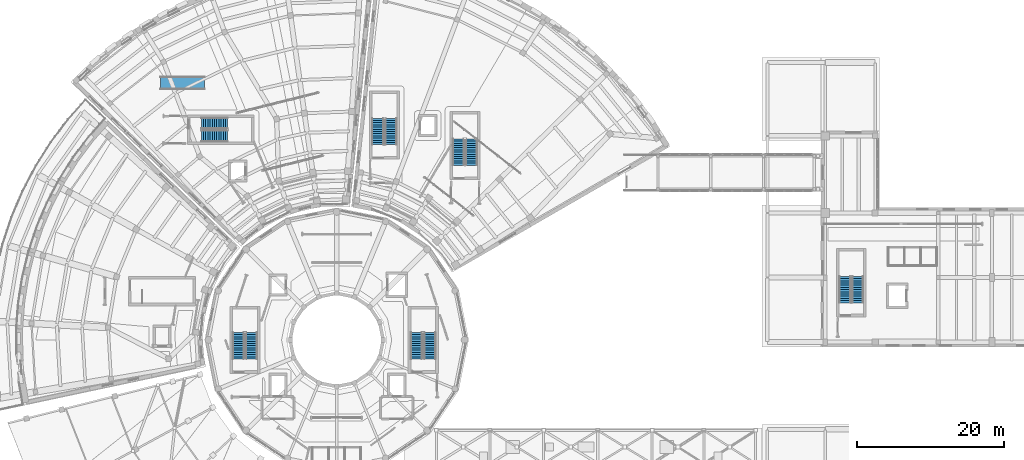
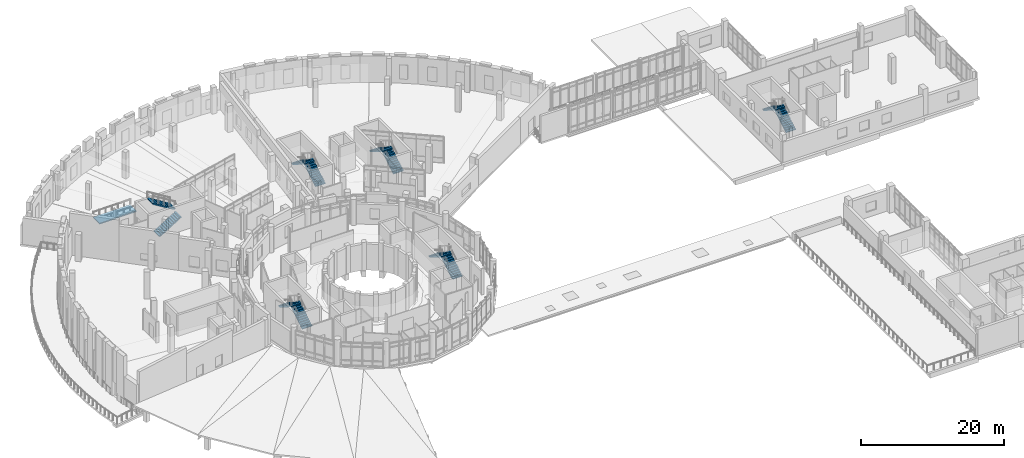
# One storey, part 61 of 75: 12 stair flights, 1 ramp flight, 7 elements without a shape of their own.
"""IFC4 building model written with IfcOpenShell, lengths in metres."""

from ifc_helpers import new_model, si_unit, direction, frame, origin, place, context, subcontext, project, spatial, polyline, outline, extrude, material, type_object, element, aggregate, save


model = new_model("IFC4")

# Units and contexts
model_context = context("Model", 3, precision=1e-05, world=origin(), true_north=direction((0.0, 1.0)))
body_context = subcontext(model_context, "Body", "Model", "MODEL_VIEW")
ifc_project = project(units=[si_unit("LENGTHUNIT", "METRE"), si_unit("AREAUNIT", "SQUARE_METRE"), si_unit("VOLUMEUNIT", "CUBIC_METRE"), si_unit("PLANEANGLEUNIT", "RADIAN"), si_unit("MASSUNIT", "GRAM", prefix="KILO")], contexts=[model_context])

# Site, building, storey
site_placement = place(None, origin())
site = spatial("IfcSite", under=ifc_project, at=site_placement, CompositionType="ELEMENT")
building_placement = place(site_placement, origin())
building = spatial("IfcBuilding", under=site, at=building_placement, Name="Soyqirgoq Riverine Aquarium", CompositionType="ELEMENT")
storey_placement = place(building_placement, frame((0.0, 0.0, 10.199951171875)))
storey = spatial("IfcBuildingStorey", under=building, at=storey_placement, Name="L03", CompositionType="ELEMENT", Elevation=10.199951171875)

# Stair, stair flights
ifc_material_1 = material(Name="Concrete C35/45", Category="concrete")
stair_type = type_object("IfcStairType", Name="CoreDoglegStair_RC", PredefinedType="HALF_TURN_STAIR", material=ifc_material_1)
stair_1_placement = place(storey_placement, origin())
stair_1 = element("IfcStair", 1, at=stair_1_placement, inside=storey, type_object=stair_type, Name="L03 Enclosed Exit Stair ST-1", PredefinedType="HALF_TURN_STAIR")
ifc_material_2 = material(Name="Concrete C35/45", Category="concrete")
stair_flight_type = type_object("IfcStairFlightType", Name="CoreStairFlight_RC", PredefinedType="STRAIGHT", material=ifc_material_2)
stair_flight_1_placement = place(storey_placement, frame((68.699951171875, 54.39990234375, 0.0), z_axis=(0.0, 0.0, 1.0), x_axis=(0.0, 1.0, 0.0)))
stair_flight_1 = element("IfcStairFlight", 2, at=stair_flight_1_placement, type_object=stair_flight_type, Name="ST-1 flight 1", NumberOfRisers=13, NumberOfTreads=12, PredefinedType="STRAIGHT", RiserHeight=0.184615385, TreadLength=0.3, context=body_context, shape_type="SweptSolid", body=[
    extrude(outline(polyline([(0.0, 0.0), (0.0, 0.1845703125), (0.300048828125, 0.1845703125), (0.300048828125, 0.369140625), (0.60009765625, 0.369140625), (0.60009765625, 0.553955078125), (0.89990234375, 0.553955078125), (0.89990234375, 0.738525390625), (1.199951171875, 0.738525390625), (1.199951171875, 0.923095703125), (1.5, 0.923095703125), (1.5, 1.107666015625), (1.800048828125, 1.107666015625), (1.800048828125, 1.292236328125), (2.10009765625, 1.292236328125), (2.10009765625, 1.476806640625), (2.39990234375, 1.476806640625), (2.39990234375, 1.66162109375), (2.699951171875, 1.66162109375), (2.699951171875, 1.84619140625), (3.0, 1.84619140625), (3.0, 2.03076171875), (3.300048828125, 2.03076171875), (3.300048828125, 2.21533203125), (3.60009765625, 2.21533203125), (3.60009765625, 2.39990234375), (3.60009765625, 2.039306640625), (0.2861328125, 0.0), (0.0, 0.0)])), frame((0.0, 0.800048828125, 0.0), z_axis=(0.0, -1.0, 0.0), x_axis=(1.0, 0.0, 0.0)), (0.0, 0.0, 1.0), 1.60009765625),
])
stair_flight_2_placement = place(storey_placement, frame((66.89990234375, 58.0, 2.400146484375), z_axis=(0.0, 0.0, 1.0), x_axis=(0.0, -1.0, 0.0)))
stair_flight_2 = element("IfcStairFlight", 3, at=stair_flight_2_placement, type_object=stair_flight_type, Name="ST-1 flight 2", NumberOfRisers=13, NumberOfTreads=12, PredefinedType="STRAIGHT", RiserHeight=0.184615385, TreadLength=0.3, context=body_context, shape_type="SweptSolid", body=[
    extrude(outline(polyline([(0.0, 0.0), (0.0, 0.1845703125), (0.300048828125, 0.1845703125), (0.300048828125, 0.369140625), (0.60009765625, 0.369140625), (0.60009765625, 0.553955078125), (0.89990234375, 0.553955078125), (0.89990234375, 0.738525390625), (1.199951171875, 0.738525390625), (1.199951171875, 0.923095703125), (1.5, 0.923095703125), (1.5, 1.107666015625), (1.800048828125, 1.107666015625), (1.800048828125, 1.292236328125), (2.10009765625, 1.292236328125), (2.10009765625, 1.476806640625), (2.39990234375, 1.476806640625), (2.39990234375, 1.66162109375), (2.699951171875, 1.66162109375), (2.699951171875, 1.84619140625), (3.0, 1.84619140625), (3.0, 2.03076171875), (3.300048828125, 2.03076171875), (3.300048828125, 2.21533203125), (3.60009765625, 2.21533203125), (3.60009765625, 2.39990234375), (3.60009765625, 2.039306640625), (0.2861328125, 0.0), (0.0, 0.0)])), frame((0.0, 0.800048828125, 0.0), z_axis=(0.0, -1.0, 0.0), x_axis=(1.0, 0.0, 0.0)), (0.0, 0.0, 1.0), 1.60009765625),
])
aggregate(stair_1, [stair_flight_1, stair_flight_2])

stair_2_placement = place(storey_placement, origin())
stair_2 = element("IfcStair", 4, at=stair_2_placement, inside=storey, type_object=stair_type, Name="L03 Enclosed Exit Stair ST-9", PredefinedType="HALF_TURN_STAIR")
stair_flight_3_placement = place(storey_placement, frame((44.39990234375, 54.39990234375, 0.0), z_axis=(0.0, 0.0, 1.0), x_axis=(0.0, 1.0, 0.0)))
stair_flight_3 = element("IfcStairFlight", 5, at=stair_flight_3_placement, type_object=stair_flight_type, Name="ST-9 flight 1", NumberOfRisers=13, NumberOfTreads=12, PredefinedType="STRAIGHT", RiserHeight=0.184615385, TreadLength=0.3, context=body_context, shape_type="SweptSolid", body=[
    extrude(outline(polyline([(0.0, 0.0), (0.0, 0.1845703125), (0.300048828125, 0.1845703125), (0.300048828125, 0.369140625), (0.60009765625, 0.369140625), (0.60009765625, 0.553955078125), (0.89990234375, 0.553955078125), (0.89990234375, 0.738525390625), (1.199951171875, 0.738525390625), (1.199951171875, 0.923095703125), (1.5, 0.923095703125), (1.5, 1.107666015625), (1.800048828125, 1.107666015625), (1.800048828125, 1.292236328125), (2.10009765625, 1.292236328125), (2.10009765625, 1.476806640625), (2.39990234375, 1.476806640625), (2.39990234375, 1.66162109375), (2.699951171875, 1.66162109375), (2.699951171875, 1.84619140625), (3.0, 1.84619140625), (3.0, 2.03076171875), (3.300048828125, 2.03076171875), (3.300048828125, 2.21533203125), (3.60009765625, 2.21533203125), (3.60009765625, 2.39990234375), (3.60009765625, 2.039306640625), (0.2861328125, 0.0), (0.0, 0.0)])), frame((0.0, 0.800048828125, 0.0), z_axis=(0.0, -1.0, 0.0), x_axis=(1.0, 0.0, 0.0)), (0.0, 0.0, 1.0), 1.60009765625),
])
stair_flight_4_placement = place(storey_placement, frame((42.60009765625, 58.0, 2.400146484375), z_axis=(0.0, 0.0, 1.0), x_axis=(0.0, -1.0, 0.0)))
stair_flight_4 = element("IfcStairFlight", 6, at=stair_flight_4_placement, type_object=stair_flight_type, Name="ST-9 flight 2", NumberOfRisers=13, NumberOfTreads=12, PredefinedType="STRAIGHT", RiserHeight=0.184615385, TreadLength=0.3, context=body_context, shape_type="SweptSolid", body=[
    extrude(outline(polyline([(0.0, 0.0), (0.0, 0.1845703125), (0.300048828125, 0.1845703125), (0.300048828125, 0.369140625), (0.60009765625, 0.369140625), (0.60009765625, 0.553955078125), (0.89990234375, 0.553955078125), (0.89990234375, 0.738525390625), (1.199951171875, 0.738525390625), (1.199951171875, 0.923095703125), (1.5, 0.923095703125), (1.5, 1.107666015625), (1.800048828125, 1.107666015625), (1.800048828125, 1.292236328125), (2.10009765625, 1.292236328125), (2.10009765625, 1.476806640625), (2.39990234375, 1.476806640625), (2.39990234375, 1.66162109375), (2.699951171875, 1.66162109375), (2.699951171875, 1.84619140625), (3.0, 1.84619140625), (3.0, 2.03076171875), (3.300048828125, 2.03076171875), (3.300048828125, 2.21533203125), (3.60009765625, 2.21533203125), (3.60009765625, 2.39990234375), (3.60009765625, 2.039306640625), (0.2861328125, 0.0), (0.0, 0.0)])), frame((0.0, 0.800048828125, 0.0), z_axis=(0.0, -1.0, 0.0), x_axis=(1.0, 0.0, 0.0)), (0.0, 0.0, 1.0), 1.60009765625),
])
aggregate(stair_2, [stair_flight_3, stair_flight_4])

stair_3_placement = place(storey_placement, origin())
stair_3 = element("IfcStair", 7, at=stair_3_placement, inside=storey, type_object=stair_type, Name="L03 Enclosed Exit Stair ST-4", PredefinedType="HALF_TURN_STAIR")
stair_flight_5_placement = place(storey_placement, frame((37.550048828125, 84.77490234375, 0.0), z_axis=(0.0, 0.0, 1.0), x_axis=(1.0, 0.0, 0.0)))
stair_flight_5 = element("IfcStairFlight", 8, at=stair_flight_5_placement, type_object=stair_flight_type, Name="ST-4 flight 1", NumberOfRisers=13, NumberOfTreads=12, PredefinedType="STRAIGHT", RiserHeight=0.184615385, TreadLength=0.3, context=body_context, shape_type="SweptSolid", body=[
    extrude(outline(polyline([(0.0, 0.0), (0.0, 0.1845703125), (0.300048828125, 0.1845703125), (0.300048828125, 0.369140625), (0.60009765625, 0.369140625), (0.60009765625, 0.553955078125), (0.89990234375, 0.553955078125), (0.89990234375, 0.738525390625), (1.199951171875, 0.738525390625), (1.199951171875, 0.923095703125), (1.5, 0.923095703125), (1.5, 1.107666015625), (1.800048828125, 1.107666015625), (1.800048828125, 1.292236328125), (2.10009765625, 1.292236328125), (2.10009765625, 1.476806640625), (2.39990234375, 1.476806640625), (2.39990234375, 1.66162109375), (2.699951171875, 1.66162109375), (2.699951171875, 1.84619140625), (3.0, 1.84619140625), (3.0, 2.03076171875), (3.300048828125, 2.03076171875), (3.300048828125, 2.21533203125), (3.60009765625, 2.21533203125), (3.60009765625, 2.39990234375), (3.60009765625, 2.039306640625), (0.2861328125, 0.0), (0.0, 0.0)])), frame((0.0, 0.77490234375, 0.0), z_axis=(0.0, -1.0, 0.0), x_axis=(1.0, 0.0, 0.0)), (0.0, 0.0, 1.0), 1.550048828125),
])
stair_flight_6_placement = place(storey_placement, frame((41.14990234375, 86.52490234375, 2.400146484375), z_axis=(0.0, 0.0, 1.0), x_axis=(-1.0, 0.0, 0.0)))
stair_flight_6 = element("IfcStairFlight", 9, at=stair_flight_6_placement, type_object=stair_flight_type, Name="ST-4 flight 2", NumberOfRisers=13, NumberOfTreads=12, PredefinedType="STRAIGHT", RiserHeight=0.184615385, TreadLength=0.3, context=body_context, shape_type="SweptSolid", body=[
    extrude(outline(polyline([(0.0, 0.0), (0.0, 0.1845703125), (0.300048828125, 0.1845703125), (0.300048828125, 0.369140625), (0.60009765625, 0.369140625), (0.60009765625, 0.553955078125), (0.89990234375, 0.553955078125), (0.89990234375, 0.738525390625), (1.199951171875, 0.738525390625), (1.199951171875, 0.923095703125), (1.5, 0.923095703125), (1.5, 1.107666015625), (1.800048828125, 1.107666015625), (1.800048828125, 1.292236328125), (2.10009765625, 1.292236328125), (2.10009765625, 1.476806640625), (2.39990234375, 1.476806640625), (2.39990234375, 1.66162109375), (2.699951171875, 1.66162109375), (2.699951171875, 1.84619140625), (3.0, 1.84619140625), (3.0, 2.03076171875), (3.300048828125, 2.03076171875), (3.300048828125, 2.21533203125), (3.60009765625, 2.21533203125), (3.60009765625, 2.39990234375), (3.60009765625, 2.039306640625), (0.2861328125, 0.0), (0.0, 0.0)])), frame((0.0, 0.77490234375, 0.0), z_axis=(0.0, -1.0, 0.0), x_axis=(1.0, 0.0, 0.0)), (0.0, 0.0, 1.0), 1.550048828125),
])
aggregate(stair_3, [stair_flight_5, stair_flight_6])

stair_4_placement = place(storey_placement, origin())
stair_4 = element("IfcStair", 10, at=stair_4_placement, inside=storey, type_object=stair_type, Name="L03 Enclosed Exit Stair ST-5", PredefinedType="HALF_TURN_STAIR")
stair_flight_7_placement = place(storey_placement, frame((63.39990234375, 83.60009765625, 0.0), z_axis=(0.0, 0.0, 1.0), x_axis=(0.0, 1.0, 0.0)))
stair_flight_7 = element("IfcStairFlight", 11, at=stair_flight_7_placement, type_object=stair_flight_type, Name="ST-5 flight 1", NumberOfRisers=13, NumberOfTreads=12, PredefinedType="STRAIGHT", RiserHeight=0.184615385, TreadLength=0.3, context=body_context, shape_type="SweptSolid", body=[
    extrude(outline(polyline([(0.0, 0.0), (0.0, 0.1845703125), (0.300048828125, 0.1845703125), (0.300048828125, 0.369140625), (0.60009765625, 0.369140625), (0.60009765625, 0.553955078125), (0.89990234375, 0.553955078125), (0.89990234375, 0.738525390625), (1.199951171875, 0.738525390625), (1.199951171875, 0.923095703125), (1.5, 0.923095703125), (1.5, 1.107666015625), (1.800048828125, 1.107666015625), (1.800048828125, 1.292236328125), (2.10009765625, 1.292236328125), (2.10009765625, 1.476806640625), (2.39990234375, 1.476806640625), (2.39990234375, 1.66162109375), (2.699951171875, 1.66162109375), (2.699951171875, 1.84619140625), (3.0, 1.84619140625), (3.0, 2.03076171875), (3.300048828125, 2.03076171875), (3.300048828125, 2.21533203125), (3.60009765625, 2.21533203125), (3.60009765625, 2.39990234375), (3.60009765625, 2.039306640625), (0.2861328125, 0.0), (0.0, 0.0)])), frame((0.0, 0.800048828125, 0.0), z_axis=(0.0, -1.0, 0.0), x_axis=(1.0, 0.0, 0.0)), (0.0, 0.0, 1.0), 1.60009765625),
])
stair_flight_8_placement = place(storey_placement, frame((61.60009765625, 87.199951171875, 2.400146484375), z_axis=(0.0, 0.0, 1.0), x_axis=(0.0, -1.0, 0.0)))
stair_flight_8 = element("IfcStairFlight", 12, at=stair_flight_8_placement, type_object=stair_flight_type, Name="ST-5 flight 2", NumberOfRisers=13, NumberOfTreads=12, PredefinedType="STRAIGHT", RiserHeight=0.184615385, TreadLength=0.3, context=body_context, shape_type="SweptSolid", body=[
    extrude(outline(polyline([(0.0, 0.0), (0.0, 0.1845703125), (0.300048828125, 0.1845703125), (0.300048828125, 0.369140625), (0.60009765625, 0.369140625), (0.60009765625, 0.553955078125), (0.89990234375, 0.553955078125), (0.89990234375, 0.738525390625), (1.199951171875, 0.738525390625), (1.199951171875, 0.923095703125), (1.5, 0.923095703125), (1.5, 1.107666015625), (1.800048828125, 1.107666015625), (1.800048828125, 1.292236328125), (2.10009765625, 1.292236328125), (2.10009765625, 1.476806640625), (2.39990234375, 1.476806640625), (2.39990234375, 1.66162109375), (2.699951171875, 1.66162109375), (2.699951171875, 1.84619140625), (3.0, 1.84619140625), (3.0, 2.03076171875), (3.300048828125, 2.03076171875), (3.300048828125, 2.21533203125), (3.60009765625, 2.21533203125), (3.60009765625, 2.39990234375), (3.60009765625, 2.039306640625), (0.2861328125, 0.0), (0.0, 0.0)])), frame((0.0, 0.800048828125, 0.0), z_axis=(0.0, -1.0, 0.0), x_axis=(1.0, 0.0, 0.0)), (0.0, 0.0, 1.0), 1.60009765625),
])
aggregate(stair_4, [stair_flight_7, stair_flight_8])

stair_5_placement = place(storey_placement, origin())
stair_5 = element("IfcStair", 13, at=stair_5_placement, inside=storey, type_object=stair_type, Name="L03 Enclosed Exit Stair ST-6", PredefinedType="HALF_TURN_STAIR")
stair_flight_9_placement = place(storey_placement, frame((74.39990234375, 80.800048828125, 0.0), z_axis=(0.0, 0.0, 1.0), x_axis=(0.0, 1.0, 0.0)))
stair_flight_9 = element("IfcStairFlight", 14, at=stair_flight_9_placement, type_object=stair_flight_type, Name="ST-6 flight 1", NumberOfRisers=13, NumberOfTreads=12, PredefinedType="STRAIGHT", RiserHeight=0.184615385, TreadLength=0.3, context=body_context, shape_type="SweptSolid", body=[
    extrude(outline(polyline([(0.0, 0.0), (0.0, 0.1845703125), (0.300048828125, 0.1845703125), (0.300048828125, 0.369140625), (0.60009765625, 0.369140625), (0.60009765625, 0.553955078125), (0.89990234375, 0.553955078125), (0.89990234375, 0.738525390625), (1.199951171875, 0.738525390625), (1.199951171875, 0.923095703125), (1.5, 0.923095703125), (1.5, 1.107666015625), (1.800048828125, 1.107666015625), (1.800048828125, 1.292236328125), (2.10009765625, 1.292236328125), (2.10009765625, 1.476806640625), (2.39990234375, 1.476806640625), (2.39990234375, 1.66162109375), (2.699951171875, 1.66162109375), (2.699951171875, 1.84619140625), (3.0, 1.84619140625), (3.0, 2.03076171875), (3.300048828125, 2.03076171875), (3.300048828125, 2.21533203125), (3.60009765625, 2.21533203125), (3.60009765625, 2.39990234375), (3.60009765625, 2.039306640625), (0.2861328125, 0.0), (0.0, 0.0)])), frame((0.0, 0.800048828125, 0.0), z_axis=(0.0, -1.0, 0.0), x_axis=(1.0, 0.0, 0.0)), (0.0, 0.0, 1.0), 1.60009765625),
])
stair_flight_10_placement = place(storey_placement, frame((72.60009765625, 84.39990234375, 2.400146484375), z_axis=(0.0, 0.0, 1.0), x_axis=(0.0, -1.0, 0.0)))
stair_flight_10 = element("IfcStairFlight", 15, at=stair_flight_10_placement, type_object=stair_flight_type, Name="ST-6 flight 2", NumberOfRisers=13, NumberOfTreads=12, PredefinedType="STRAIGHT", RiserHeight=0.184615385, TreadLength=0.3, context=body_context, shape_type="SweptSolid", body=[
    extrude(outline(polyline([(0.0, 0.0), (0.0, 0.1845703125), (0.300048828125, 0.1845703125), (0.300048828125, 0.369140625), (0.60009765625, 0.369140625), (0.60009765625, 0.553955078125), (0.89990234375, 0.553955078125), (0.89990234375, 0.738525390625), (1.199951171875, 0.738525390625), (1.199951171875, 0.923095703125), (1.5, 0.923095703125), (1.5, 1.107666015625), (1.800048828125, 1.107666015625), (1.800048828125, 1.292236328125), (2.10009765625, 1.292236328125), (2.10009765625, 1.476806640625), (2.39990234375, 1.476806640625), (2.39990234375, 1.66162109375), (2.699951171875, 1.66162109375), (2.699951171875, 1.84619140625), (3.0, 1.84619140625), (3.0, 2.03076171875), (3.300048828125, 2.03076171875), (3.300048828125, 2.21533203125), (3.60009765625, 2.21533203125), (3.60009765625, 2.39990234375), (3.60009765625, 2.039306640625), (0.2861328125, 0.0), (0.0, 0.0)])), frame((0.0, 0.800048828125, 0.0), z_axis=(0.0, -1.0, 0.0), x_axis=(1.0, 0.0, 0.0)), (0.0, 0.0, 1.0), 1.60009765625),
])
aggregate(stair_5, [stair_flight_9, stair_flight_10])

stair_6_placement = place(storey_placement, origin())
stair_6 = element("IfcStair", 16, at=stair_6_placement, inside=storey, type_object=stair_type, Name="L03 Enclosed Exit Stair ST-8", PredefinedType="HALF_TURN_STAIR")
stair_flight_11_placement = place(storey_placement, frame((127.02490234375, 62.050048828125, 0.0), z_axis=(0.0, 0.0, 1.0), x_axis=(0.0, 1.0, 0.0)))
stair_flight_11 = element("IfcStairFlight", 17, at=stair_flight_11_placement, type_object=stair_flight_type, Name="ST-8 flight 1", NumberOfRisers=13, NumberOfTreads=12, PredefinedType="STRAIGHT", RiserHeight=0.184615385, TreadLength=0.3, context=body_context, shape_type="SweptSolid", body=[
    extrude(outline(polyline([(0.0, 0.0), (0.0, 0.1845703125), (0.300048828125, 0.1845703125), (0.300048828125, 0.369140625), (0.60009765625, 0.369140625), (0.60009765625, 0.553955078125), (0.89990234375, 0.553955078125), (0.89990234375, 0.738525390625), (1.199951171875, 0.738525390625), (1.199951171875, 0.923095703125), (1.5, 0.923095703125), (1.5, 1.107666015625), (1.800048828125, 1.107666015625), (1.800048828125, 1.292236328125), (2.10009765625, 1.292236328125), (2.10009765625, 1.476806640625), (2.39990234375, 1.476806640625), (2.39990234375, 1.66162109375), (2.699951171875, 1.66162109375), (2.699951171875, 1.84619140625), (3.0, 1.84619140625), (3.0, 2.03076171875), (3.300048828125, 2.03076171875), (3.300048828125, 2.21533203125), (3.60009765625, 2.21533203125), (3.60009765625, 2.39990234375), (3.60009765625, 2.039306640625), (0.2861328125, 0.0), (0.0, 0.0)])), frame((0.0, 0.77490234375, 0.0), z_axis=(0.0, -1.0, 0.0), x_axis=(1.0, 0.0, 0.0)), (0.0, 0.0, 1.0), 1.550048828125),
])
stair_flight_12_placement = place(storey_placement, frame((125.27490234375, 65.64990234375, 2.400146484375), z_axis=(0.0, 0.0, 1.0), x_axis=(0.0, -1.0, 0.0)))
stair_flight_12 = element("IfcStairFlight", 18, at=stair_flight_12_placement, type_object=stair_flight_type, Name="ST-8 flight 2", NumberOfRisers=13, NumberOfTreads=12, PredefinedType="STRAIGHT", RiserHeight=0.184615385, TreadLength=0.3, context=body_context, shape_type="SweptSolid", body=[
    extrude(outline(polyline([(0.0, 0.0), (0.0, 0.1845703125), (0.300048828125, 0.1845703125), (0.300048828125, 0.369140625), (0.60009765625, 0.369140625), (0.60009765625, 0.553955078125), (0.89990234375, 0.553955078125), (0.89990234375, 0.738525390625), (1.199951171875, 0.738525390625), (1.199951171875, 0.923095703125), (1.5, 0.923095703125), (1.5, 1.107666015625), (1.800048828125, 1.107666015625), (1.800048828125, 1.292236328125), (2.10009765625, 1.292236328125), (2.10009765625, 1.476806640625), (2.39990234375, 1.476806640625), (2.39990234375, 1.66162109375), (2.699951171875, 1.66162109375), (2.699951171875, 1.84619140625), (3.0, 1.84619140625), (3.0, 2.03076171875), (3.300048828125, 2.03076171875), (3.300048828125, 2.21533203125), (3.60009765625, 2.21533203125), (3.60009765625, 2.39990234375), (3.60009765625, 2.039306640625), (0.2861328125, 0.0), (0.0, 0.0)])), frame((0.0, 0.77490234375, 0.0), z_axis=(0.0, -1.0, 0.0), x_axis=(1.0, 0.0, 0.0)), (0.0, 0.0, 1.0), 1.550048828125),
])
aggregate(stair_6, [stair_flight_11, stair_flight_12])

# Ramp, ramp flight
ramp_placement = place(storey_placement, origin())
ramp = element("IfcRamp", 19, at=ramp_placement, inside=storey, Name="L03 Montane Stream Gallery Accessible Ramp", PredefinedType="STRAIGHT_RUN_RAMP")
ramp_flight_placement = place(storey_placement, frame((32.0, 91.10009765625, -0.06005859375), z_axis=(-0.010009264196, 0.0, 0.99994990606), x_axis=(0.99994990606, 0.0, 0.010009264196)))
ramp_flight = element("IfcRampFlight", 20, at=ramp_flight_placement, Name="L03 Montane Stream Gallery Accessible Ramp Flight", PredefinedType="STRAIGHT", context=body_context, shape_type="SweptSolid", body=[
    extrude(outline(polyline([(0.0, 0.0), (6.00030057869464, 0.0), (6.00030057869464, 1.7998046875), (0.0, 1.7998046875), (0.0, 0.0)])), origin(), (0.0, 0.0, -1.0), 0.179931640625),
])
aggregate(ramp, [ramp_flight])

save(model, "model.ifc")
